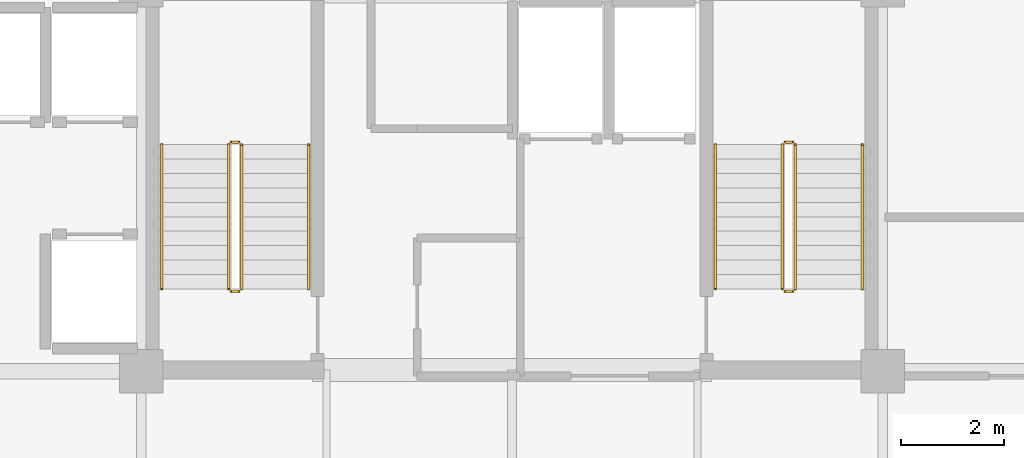
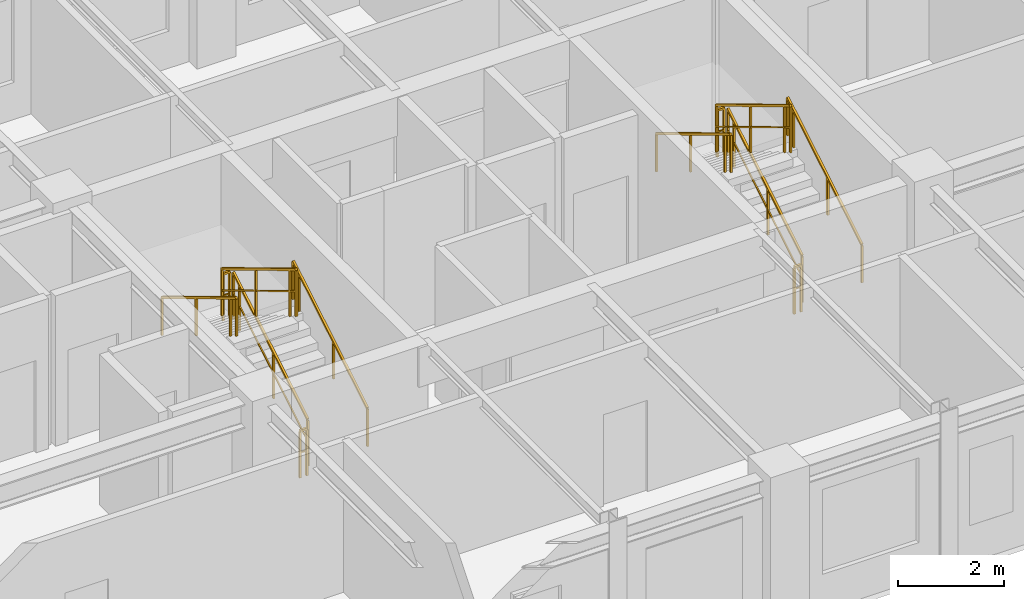
# One storey, part 10 of 11: 12 railings.
"""IFC4 building model written with IfcOpenShell, lengths in metres."""

from ifc_helpers import new_model, si_unit, direction, frame, origin, origin_2d, place, context, subcontext, project, spatial, rectangle, extrude, material, type_object, element, save


model = new_model("IFC4")

# Units and contexts
model_context = context("Model", 3, precision=1e-05, world=origin(), true_north=direction((0.0, 1.0)))
body_context = subcontext(model_context, "Body", "Model", "MODEL_VIEW")
ifc_project = project(units=[si_unit("LENGTHUNIT", "METRE"), si_unit("AREAUNIT", "SQUARE_METRE"), si_unit("VOLUMEUNIT", "CUBIC_METRE"), si_unit("PLANEANGLEUNIT", "RADIAN"), si_unit("MASSUNIT", "GRAM", prefix="KILO")], contexts=[model_context])

# Site, building, storey
site_placement = place(None, origin())
site = spatial("IfcSite", under=ifc_project, at=site_placement, CompositionType="ELEMENT")
building_placement = place(site_placement, origin())
building = spatial("IfcBuilding", under=site, at=building_placement, Name="Kaliganga Portal Commons", CompositionType="ELEMENT")
storey_placement = place(building_placement, frame((0.0, 0.0, 264.699951171875)))
storey = spatial("IfcBuildingStorey", under=building, at=storey_placement, Name="L68", CompositionType="ELEMENT", Elevation=264.699951171875)

# Railings
ifc_material_1 = material(Name="Galvanized Painted Steel Balustrade", Category="steel")
railing_type_1 = type_object("IfcRailingType", Name="RLG-STAIR-GRD", PredefinedType="GUARDRAIL", material=ifc_material_1)
railing_1_placement = place(storey_placement, frame((16.35009765625, 30.25, 0.168212890625)))
element("IfcRailing", 1, at=railing_1_placement, inside=storey, type_object=railing_type_1, Name="L68 ST-A1 stair guard 1", PredefinedType="GUARDRAIL", context=body_context, shape_type="SweptSolid", body=[
    extrude(rectangle(XDim=0.048095703125, YDim=0.048095703125, at=origin_2d()), frame((0.0, 0.0, 1.072021484375), z_axis=(0.0, 0.857242210791, 0.514913383045), x_axis=(-1.0, 0.0, 0.0)), (0.0, 0.0, 1.0), 3.266357421875),
    extrude(rectangle(XDim=0.028076171875, YDim=0.028076171875, at=origin_2d()), frame((0.0, 0.0, 0.572021484375), z_axis=(0.0, 0.857242210791, 0.514913383045), x_axis=(-1.0, 0.0, 0.0)), (0.0, 0.0, 1.0), 3.266357421875),
    extrude(rectangle(XDim=0.0419921875, YDim=0.0419921875, at=origin_2d()), origin(), (0.0, 0.0, 1.0), 1.052001953125),
    extrude(rectangle(XDim=0.0419921875, YDim=0.0419921875, at=origin_2d()), frame((0.0, 1.285888671875, 0.7724609375)), (0.0, 0.0, 1.0), 1.052001953125),
    extrude(rectangle(XDim=0.0419921875, YDim=0.0419921875, at=origin_2d()), frame((0.0, 2.57177734375, 1.544677734375)), (0.0, 0.0, 1.0), 1.052001953125),
    extrude(rectangle(XDim=0.0419921875, YDim=0.0419921875, at=origin_2d()), frame((0.0, 2.800048828125, 1.681884765625)), (0.0, 0.0, 1.0), 1.052001953125),
])
railing_2_placement = place(storey_placement, frame((16.300048828125, 33.10009765625, 1.85009765625)))
element("IfcRailing", 2, at=railing_2_placement, inside=storey, type_object=railing_type_1, Name="L68 ST-A1 stair guard 2", PredefinedType="GUARDRAIL", context=body_context, shape_type="SweptSolid", body=[
    extrude(rectangle(XDim=0.048095703125, YDim=0.048095703125, at=origin_2d()), frame((0.0, 0.0, 1.076171875), z_axis=(-1.0, 0.0, 0.0), x_axis=(0.0, -1.0, 0.0)), (0.0, 0.0, 1.0), 0.150146484375),
    extrude(rectangle(XDim=0.028076171875, YDim=0.028076171875, at=origin_2d()), frame((0.0, 0.0, 0.572021484375), z_axis=(-1.0, 0.0, 0.0), x_axis=(0.0, -1.0, 0.0)), (0.0, 0.0, 1.0), 0.150146484375),
    extrude(rectangle(XDim=0.0419921875, YDim=0.0419921875, at=origin_2d()), origin(), (0.0, 0.0, 1.0), 1.052001953125),
    extrude(rectangle(XDim=0.0419921875, YDim=0.0419921875, at=origin_2d()), frame((-0.150146484375, 0.0, 0.0)), (0.0, 0.0, 1.0), 1.052001953125),
])
railing_3_placement = place(storey_placement, frame((16.10009765625, 33.050048828125, 2.018310546875)))
element("IfcRailing", 3, at=railing_3_placement, inside=storey, type_object=railing_type_1, Name="L68 ST-A1 stair guard 3", PredefinedType="GUARDRAIL", context=body_context, shape_type="SweptSolid", body=[
    extrude(rectangle(XDim=0.048095703125, YDim=0.048095703125, at=origin_2d()), frame((0.0, 0.0, 1.072021484375), z_axis=(0.0, -0.857275202839, 0.514858452973), x_axis=(1.0, 0.0, 0.0)), (0.0, 0.0, 1.0), 3.26611328125),
    extrude(rectangle(XDim=0.028076171875, YDim=0.028076171875, at=origin_2d()), frame((0.0, 0.0, 0.572021484375), z_axis=(0.0, -0.857275202839, 0.514858452973), x_axis=(1.0, 0.0, 0.0)), (0.0, 0.0, 1.0), 3.26611328125),
    extrude(rectangle(XDim=0.0419921875, YDim=0.0419921875, at=origin_2d()), origin(), (0.0, 0.0, 1.0), 1.052001953125),
    extrude(rectangle(XDim=0.0419921875, YDim=0.0419921875, at=origin_2d()), frame((0.0, -1.285888671875, 0.772216796875)), (0.0, 0.0, 1.0), 1.052001953125),
    extrude(rectangle(XDim=0.0419921875, YDim=0.0419921875, at=origin_2d()), frame((0.0, -2.57177734375, 1.544677734375)), (0.0, 0.0, 1.0), 1.052001953125),
    extrude(rectangle(XDim=0.0419921875, YDim=0.0419921875, at=origin_2d()), frame((0.0, -2.800048828125, 1.681640625)), (0.0, 0.0, 1.0), 1.052001953125),
])
railing_4_placement = place(storey_placement, frame((16.300048828125, 30.199951171875, 0.0)))
element("IfcRailing", 4, at=railing_4_placement, inside=storey, type_object=railing_type_1, Name="L68 ST-A1 stair guard 4", PredefinedType="GUARDRAIL", context=body_context, shape_type="SweptSolid", body=[
    extrude(rectangle(XDim=0.048095703125, YDim=0.048095703125, at=origin_2d()), frame((0.0, 0.0, 1.076171875), z_axis=(-1.0, 0.0, 0.0), x_axis=(0.0, -1.0, 0.0)), (0.0, 0.0, 1.0), 0.150146484375),
    extrude(rectangle(XDim=0.028076171875, YDim=0.028076171875, at=origin_2d()), frame((0.0, 0.0, 0.572021484375), z_axis=(-1.0, 0.0, 0.0), x_axis=(0.0, -1.0, 0.0)), (0.0, 0.0, 1.0), 0.150146484375),
    extrude(rectangle(XDim=0.0419921875, YDim=0.0419921875, at=origin_2d()), origin(), (0.0, 0.0, 1.0), 1.052001953125),
    extrude(rectangle(XDim=0.0419921875, YDim=0.0419921875, at=origin_2d()), frame((-0.150146484375, 0.0, 0.0)), (0.0, 0.0, 1.0), 1.052001953125),
])
railing_5_placement = place(storey_placement, frame((27.10009765625, 30.25, 0.168212890625)))
element("IfcRailing", 5, at=railing_5_placement, inside=storey, type_object=railing_type_1, Name="L68 ST-A2 stair guard 1", PredefinedType="GUARDRAIL", context=body_context, shape_type="SweptSolid", body=[
    extrude(rectangle(XDim=0.048095703125, YDim=0.048095703125, at=origin_2d()), frame((0.0, 0.0, 1.072021484375), z_axis=(0.0, 0.857242210791, 0.514913383045), x_axis=(-1.0, 0.0, 0.0)), (0.0, 0.0, 1.0), 3.266357421875),
    extrude(rectangle(XDim=0.028076171875, YDim=0.028076171875, at=origin_2d()), frame((0.0, 0.0, 0.572021484375), z_axis=(0.0, 0.857242210791, 0.514913383045), x_axis=(-1.0, 0.0, 0.0)), (0.0, 0.0, 1.0), 3.266357421875),
    extrude(rectangle(XDim=0.0419921875, YDim=0.0419921875, at=origin_2d()), origin(), (0.0, 0.0, 1.0), 1.052001953125),
    extrude(rectangle(XDim=0.0419921875, YDim=0.0419921875, at=origin_2d()), frame((0.0, 1.285888671875, 0.7724609375)), (0.0, 0.0, 1.0), 1.052001953125),
    extrude(rectangle(XDim=0.0419921875, YDim=0.0419921875, at=origin_2d()), frame((0.0, 2.57177734375, 1.544677734375)), (0.0, 0.0, 1.0), 1.052001953125),
    extrude(rectangle(XDim=0.0419921875, YDim=0.0419921875, at=origin_2d()), frame((0.0, 2.800048828125, 1.681884765625)), (0.0, 0.0, 1.0), 1.052001953125),
])
railing_6_placement = place(storey_placement, frame((27.050048828125, 33.10009765625, 1.85009765625)))
element("IfcRailing", 6, at=railing_6_placement, inside=storey, type_object=railing_type_1, Name="L68 ST-A2 stair guard 2", PredefinedType="GUARDRAIL", context=body_context, shape_type="SweptSolid", body=[
    extrude(rectangle(XDim=0.048095703125, YDim=0.048095703125, at=origin_2d()), frame((0.0, 0.0, 1.076171875), z_axis=(-1.0, 0.0, 0.0), x_axis=(0.0, -1.0, 0.0)), (0.0, 0.0, 1.0), 0.150146484375),
    extrude(rectangle(XDim=0.028076171875, YDim=0.028076171875, at=origin_2d()), frame((0.0, 0.0, 0.572021484375), z_axis=(-1.0, 0.0, 0.0), x_axis=(0.0, -1.0, 0.0)), (0.0, 0.0, 1.0), 0.150146484375),
    extrude(rectangle(XDim=0.0419921875, YDim=0.0419921875, at=origin_2d()), origin(), (0.0, 0.0, 1.0), 1.052001953125),
    extrude(rectangle(XDim=0.0419921875, YDim=0.0419921875, at=origin_2d()), frame((-0.150146484375, 0.0, 0.0)), (0.0, 0.0, 1.0), 1.052001953125),
])
railing_7_placement = place(storey_placement, frame((26.85009765625, 33.050048828125, 2.018310546875)))
element("IfcRailing", 7, at=railing_7_placement, inside=storey, type_object=railing_type_1, Name="L68 ST-A2 stair guard 3", PredefinedType="GUARDRAIL", context=body_context, shape_type="SweptSolid", body=[
    extrude(rectangle(XDim=0.048095703125, YDim=0.048095703125, at=origin_2d()), frame((0.0, 0.0, 1.072021484375), z_axis=(0.0, -0.857275202839, 0.514858452973), x_axis=(1.0, 0.0, 0.0)), (0.0, 0.0, 1.0), 3.26611328125),
    extrude(rectangle(XDim=0.028076171875, YDim=0.028076171875, at=origin_2d()), frame((0.0, 0.0, 0.572021484375), z_axis=(0.0, -0.857275202839, 0.514858452973), x_axis=(1.0, 0.0, 0.0)), (0.0, 0.0, 1.0), 3.26611328125),
    extrude(rectangle(XDim=0.0419921875, YDim=0.0419921875, at=origin_2d()), origin(), (0.0, 0.0, 1.0), 1.052001953125),
    extrude(rectangle(XDim=0.0419921875, YDim=0.0419921875, at=origin_2d()), frame((0.0, -1.285888671875, 0.772216796875)), (0.0, 0.0, 1.0), 1.052001953125),
    extrude(rectangle(XDim=0.0419921875, YDim=0.0419921875, at=origin_2d()), frame((0.0, -2.57177734375, 1.544677734375)), (0.0, 0.0, 1.0), 1.052001953125),
    extrude(rectangle(XDim=0.0419921875, YDim=0.0419921875, at=origin_2d()), frame((0.0, -2.800048828125, 1.681640625)), (0.0, 0.0, 1.0), 1.052001953125),
])
railing_8_placement = place(storey_placement, frame((27.050048828125, 30.199951171875, 0.0)))
element("IfcRailing", 8, at=railing_8_placement, inside=storey, type_object=railing_type_1, Name="L68 ST-A2 stair guard 4", PredefinedType="GUARDRAIL", context=body_context, shape_type="SweptSolid", body=[
    extrude(rectangle(XDim=0.048095703125, YDim=0.048095703125, at=origin_2d()), frame((0.0, 0.0, 1.076171875), z_axis=(-1.0, 0.0, 0.0), x_axis=(0.0, -1.0, 0.0)), (0.0, 0.0, 1.0), 0.150146484375),
    extrude(rectangle(XDim=0.028076171875, YDim=0.028076171875, at=origin_2d()), frame((0.0, 0.0, 0.572021484375), z_axis=(-1.0, 0.0, 0.0), x_axis=(0.0, -1.0, 0.0)), (0.0, 0.0, 1.0), 0.150146484375),
    extrude(rectangle(XDim=0.0419921875, YDim=0.0419921875, at=origin_2d()), origin(), (0.0, 0.0, 1.0), 1.052001953125),
    extrude(rectangle(XDim=0.0419921875, YDim=0.0419921875, at=origin_2d()), frame((-0.150146484375, 0.0, 0.0)), (0.0, 0.0, 1.0), 1.052001953125),
])
ifc_material_2 = material(Name="Brushed Stainless Steel 316", Category="steel")
railing_type_2 = type_object("IfcRailingType", Name="RLG-STAIR-HR", PredefinedType="HANDRAIL", material=ifc_material_2)
railing_9_placement = place(storey_placement, frame((17.64990234375, 30.25, 0.168212890625)))
element("IfcRailing", 9, at=railing_9_placement, inside=storey, type_object=railing_type_2, Name="L68 ST-A1 stair handrail 1", PredefinedType="HANDRAIL", context=body_context, shape_type="SweptSolid", body=[
    extrude(rectangle(XDim=0.048095703125, YDim=0.048095703125, at=origin_2d()), frame((0.0, 0.0, 0.871826171875), z_axis=(0.0, 0.857242210791, 0.514913383045), x_axis=(-1.0, 0.0, 0.0)), (0.0, 0.0, 1.0), 3.266357421875),
    extrude(rectangle(XDim=0.0419921875, YDim=0.0419921875, at=origin_2d()), origin(), (0.0, 0.0, 1.0), 0.851806640625),
    extrude(rectangle(XDim=0.0419921875, YDim=0.0419921875, at=origin_2d()), frame((0.0, 1.285888671875, 0.7724609375)), (0.0, 0.0, 1.0), 0.851806640625),
    extrude(rectangle(XDim=0.0419921875, YDim=0.0419921875, at=origin_2d()), frame((0.0, 2.57177734375, 1.544677734375)), (0.0, 0.0, 1.0), 0.851806640625),
    extrude(rectangle(XDim=0.0419921875, YDim=0.0419921875, at=origin_2d()), frame((0.0, 2.800048828125, 1.681884765625)), (0.0, 0.0, 1.0), 0.851806640625),
])
railing_10_placement = place(storey_placement, frame((14.800048828125, 33.050048828125, 2.018310546875)))
element("IfcRailing", 10, at=railing_10_placement, inside=storey, type_object=railing_type_2, Name="L68 ST-A1 stair handrail 2", PredefinedType="HANDRAIL", context=body_context, shape_type="SweptSolid", body=[
    extrude(rectangle(XDim=0.048095703125, YDim=0.048095703125, at=origin_2d()), frame((0.0, 0.0, 0.871826171875), z_axis=(0.0, -0.857275202839, 0.514858452973), x_axis=(1.0, 0.0, 0.0)), (0.0, 0.0, 1.0), 3.26611328125),
    extrude(rectangle(XDim=0.0419921875, YDim=0.0419921875, at=origin_2d()), origin(), (0.0, 0.0, 1.0), 0.851806640625),
    extrude(rectangle(XDim=0.0419921875, YDim=0.0419921875, at=origin_2d()), frame((0.0, -1.285888671875, 0.772216796875)), (0.0, 0.0, 1.0), 0.851806640625),
    extrude(rectangle(XDim=0.0419921875, YDim=0.0419921875, at=origin_2d()), frame((0.0, -2.57177734375, 1.544677734375)), (0.0, 0.0, 1.0), 0.851806640625),
    extrude(rectangle(XDim=0.0419921875, YDim=0.0419921875, at=origin_2d()), frame((0.0, -2.800048828125, 1.681640625)), (0.0, 0.0, 1.0), 0.851806640625),
])
railing_11_placement = place(storey_placement, frame((28.39990234375, 30.25, 0.168212890625)))
element("IfcRailing", 11, at=railing_11_placement, inside=storey, type_object=railing_type_2, Name="L68 ST-A2 stair handrail 1", PredefinedType="HANDRAIL", context=body_context, shape_type="SweptSolid", body=[
    extrude(rectangle(XDim=0.048095703125, YDim=0.048095703125, at=origin_2d()), frame((0.0, 0.0, 0.871826171875), z_axis=(0.0, 0.857242210791, 0.514913383045), x_axis=(-1.0, 0.0, 0.0)), (0.0, 0.0, 1.0), 3.266357421875),
    extrude(rectangle(XDim=0.0419921875, YDim=0.0419921875, at=origin_2d()), origin(), (0.0, 0.0, 1.0), 0.851806640625),
    extrude(rectangle(XDim=0.0419921875, YDim=0.0419921875, at=origin_2d()), frame((0.0, 1.285888671875, 0.7724609375)), (0.0, 0.0, 1.0), 0.851806640625),
    extrude(rectangle(XDim=0.0419921875, YDim=0.0419921875, at=origin_2d()), frame((0.0, 2.57177734375, 1.544677734375)), (0.0, 0.0, 1.0), 0.851806640625),
    extrude(rectangle(XDim=0.0419921875, YDim=0.0419921875, at=origin_2d()), frame((0.0, 2.800048828125, 1.681884765625)), (0.0, 0.0, 1.0), 0.851806640625),
])
railing_12_placement = place(storey_placement, frame((25.550048828125, 33.050048828125, 2.018310546875)))
element("IfcRailing", 12, at=railing_12_placement, inside=storey, type_object=railing_type_2, Name="L68 ST-A2 stair handrail 2", PredefinedType="HANDRAIL", context=body_context, shape_type="SweptSolid", body=[
    extrude(rectangle(XDim=0.048095703125, YDim=0.048095703125, at=origin_2d()), frame((0.0, 0.0, 0.871826171875), z_axis=(0.0, -0.857275202839, 0.514858452973), x_axis=(1.0, 0.0, 0.0)), (0.0, 0.0, 1.0), 3.26611328125),
    extrude(rectangle(XDim=0.0419921875, YDim=0.0419921875, at=origin_2d()), origin(), (0.0, 0.0, 1.0), 0.851806640625),
    extrude(rectangle(XDim=0.0419921875, YDim=0.0419921875, at=origin_2d()), frame((0.0, -1.285888671875, 0.772216796875)), (0.0, 0.0, 1.0), 0.851806640625),
    extrude(rectangle(XDim=0.0419921875, YDim=0.0419921875, at=origin_2d()), frame((0.0, -2.57177734375, 1.544677734375)), (0.0, 0.0, 1.0), 0.851806640625),
    extrude(rectangle(XDim=0.0419921875, YDim=0.0419921875, at=origin_2d()), frame((0.0, -2.800048828125, 1.681640625)), (0.0, 0.0, 1.0), 0.851806640625),
])

save(model, "model.ifc")
